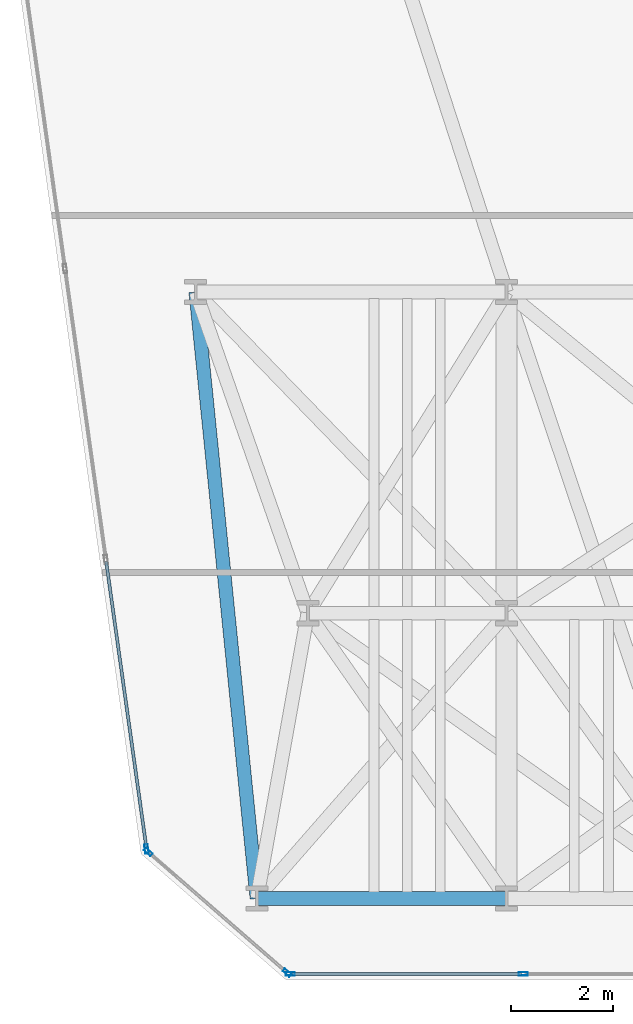
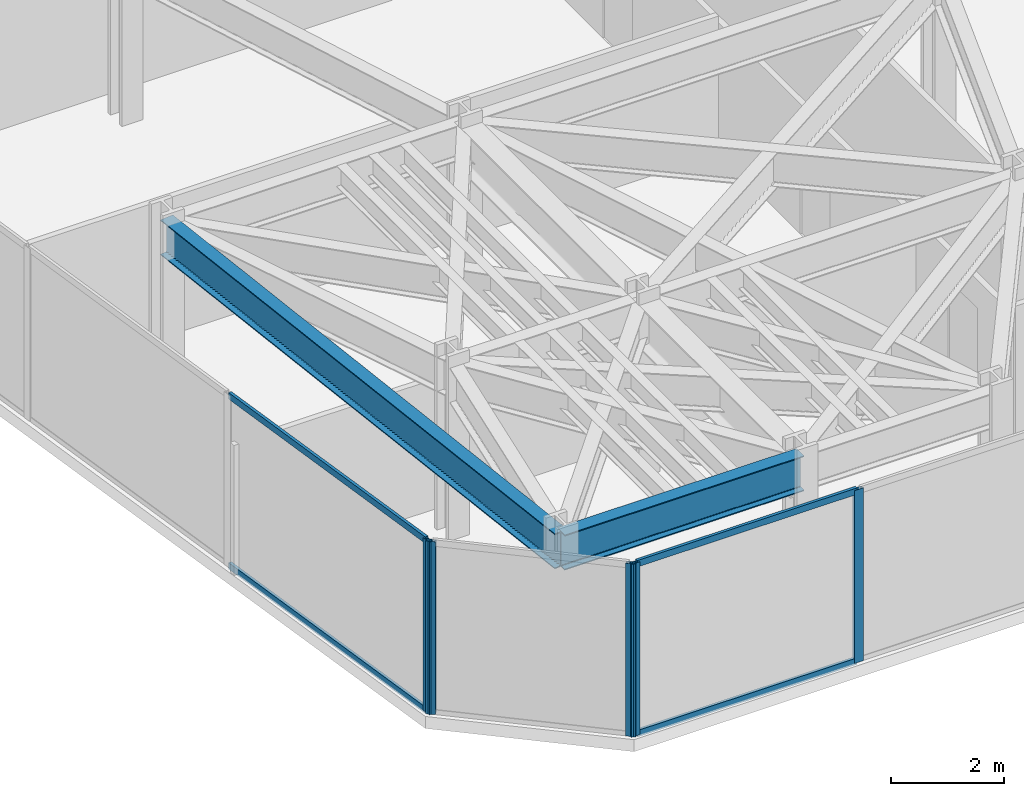
# One storey, part 2 of 24: 9 members, 2 beams, 3 elements without a shape of their own.
"""IFC4 building model written with IfcOpenShell, lengths in metres."""

from ifc_helpers import new_model, si_unit, direction, frame, origin, origin_2d, place, context, subcontext, project, spatial, hollow_rectangle, i_section, extrude, material, layer, layer_set, material_profile, profile_set, type_object, element, aggregate, save


model = new_model("IFC4")

# Units and contexts
model_context = context("Model", 3, precision=1e-05, world=origin(), true_north=direction((0.0, 1.0)))
body_context = subcontext(model_context, "Body", "Model", "MODEL_VIEW")
ifc_project = project(units=[si_unit("LENGTHUNIT", "METRE"), si_unit("AREAUNIT", "SQUARE_METRE"), si_unit("VOLUMEUNIT", "CUBIC_METRE"), si_unit("PLANEANGLEUNIT", "RADIAN"), si_unit("MASSUNIT", "GRAM", prefix="KILO")], contexts=[model_context])

# Site, building, storey
site_placement = place(None, origin())
site = spatial("IfcSite", under=ifc_project, at=site_placement, CompositionType="ELEMENT")
building_placement = place(site_placement, origin())
building = spatial("IfcBuilding", under=site, at=building_placement, Name="Kravanh Interchange Tower", CompositionType="ELEMENT")
storey_placement = place(building_placement, frame((0.0, 0.0, 61.5)))
storey = spatial("IfcBuildingStorey", under=building, at=storey_placement, Name="L14", CompositionType="ELEMENT", Elevation=61.5)

# Curtain wall, member
ifc_material_1 = material(Name="Anodised Bronze Aluminium", Category="aluminium")
ifc_layer = layer(ifc_material_1, 0.179931640625)
ifc_layer_set = layer_set([ifc_layer], Name="Unitised Curtain Wall System CW-Z1 Lower Office")
curtain_wall_type = type_object("IfcCurtainWallType", Name="Unitised Curtain Wall System CW-Z1 Lower Office", PredefinedType="NOTDEFINED", material=ifc_layer_set)
curtain_wall_1_placement = place(storey_placement, origin())
curtain_wall_1 = element("IfcCurtainWall", 1, at=curtain_wall_1_placement, inside=storey, type_object=curtain_wall_type, Name="L14 Unitised Curtain Wall CW-L14-01", PredefinedType="NOTDEFINED")
ifc_material_2 = material(Name="Anodised Bronze Aluminium", Category="aluminium")
ifc_material_profile_1 = material_profile(ifc_material_2, hollow_rectangle(XDim=0.070068359375, YDim=0.179931640625, WallThickness=0.00390625, at=origin_2d()), Name="ALU70X180X4")
ifc_profile_set_1 = profile_set([ifc_material_profile_1], Name="Anodised Bronze Aluminium")
member_type_1 = type_object("IfcMemberType", Name="Curtain Wall Mullion ALU70X180X4 Bronze", PredefinedType="MULLION", material=ifc_profile_set_1)
member_1_placement = place(storey_placement, frame((10.435546875, 3.571533203125, 0.0), z_axis=(0.0, 0.0, 1.0), x_axis=(-0.990267585682, -0.139176538065, 0.0)))
member_1 = element("IfcMember", 2, at=member_1_placement, type_object=member_type_1, Name="CW-Z1 mullion 1", PredefinedType="MULLION", context=body_context, shape_type="SweptSolid", body=[
    extrude(hollow_rectangle(XDim=0.070068359375, YDim=0.179931640625, WallThickness=0.00390625, at=origin_2d()), origin(), (0.0, 0.0, 1.0), 3.739990234375),
])

# Curtain wall, members
curtain_wall_2_placement = place(storey_placement, origin())
curtain_wall_2 = element("IfcCurtainWall", 3, at=curtain_wall_2_placement, inside=storey, type_object=curtain_wall_type, Name="L14 Unitised Curtain Wall CW-L14-06", PredefinedType="NOTDEFINED")
member_2_placement = place(storey_placement, frame((17.8271484375, 1.1201171875, 0.0), z_axis=(0.0, 0.0, 1.0), x_axis=(0.0, -1.0, 0.0)))
member_2 = element("IfcMember", 4, at=member_2_placement, type_object=member_type_1, Name="CW-Z1 mullion 2", PredefinedType="MULLION", context=body_context, shape_type="SweptSolid", body=[
    extrude(hollow_rectangle(XDim=0.070068359375, YDim=0.179931640625, WallThickness=0.00390625, at=origin_2d()), origin(), (0.0, 0.0, 1.0), 3.739990234375),
])
member_3_placement = place(storey_placement, frame((13.255615234375, 1.1201171875, 0.0), z_axis=(0.0, 0.0, 1.0), x_axis=(0.0, -1.0, 0.0)))
member_3 = element("IfcMember", 5, at=member_3_placement, type_object=member_type_1, Name="CW-Z1 mullion 3", PredefinedType="MULLION", context=body_context, shape_type="SweptSolid", body=[
    extrude(hollow_rectangle(XDim=0.070068359375, YDim=0.179931640625, WallThickness=0.00390625, at=origin_2d()), origin(), (0.0, 0.0, 1.0), 3.739990234375),
])

curtain_wall_3_placement = place(storey_placement, origin())
curtain_wall_3 = element("IfcCurtainWall", 6, at=curtain_wall_3_placement, inside=storey, type_object=curtain_wall_type, Name="L14 Unitised Curtain Wall CW-L14-07", PredefinedType="NOTDEFINED")
member_4_placement = place(storey_placement, frame((13.194091796875, 1.14306640625, 0.0), z_axis=(0.0, 0.0, 1.0), x_axis=(-0.656060422341, -0.754708368999, 0.0)))
member_4 = element("IfcMember", 7, at=member_4_placement, type_object=member_type_1, Name="CW-Z1 mullion 1", PredefinedType="MULLION", context=body_context, shape_type="SweptSolid", body=[
    extrude(hollow_rectangle(XDim=0.070068359375, YDim=0.179931640625, WallThickness=0.00390625, at=origin_2d()), origin(), (0.0, 0.0, 1.0), 3.739990234375),
])
member_5_placement = place(storey_placement, frame((10.466796875, 3.513916015625, 0.0), z_axis=(0.0, 0.0, 1.0), x_axis=(-0.656060422341, -0.754708368999, 0.0)))
member_5 = element("IfcMember", 8, at=member_5_placement, type_object=member_type_1, Name="CW-Z1 mullion 2", PredefinedType="MULLION", context=body_context, shape_type="SweptSolid", body=[
    extrude(hollow_rectangle(XDim=0.070068359375, YDim=0.179931640625, WallThickness=0.00390625, at=origin_2d()), origin(), (0.0, 0.0, 1.0), 3.739990234375),
])
aggregate(curtain_wall_3, [member_4, member_5])

# Member
ifc_material_3 = material(Name="Anodised Bronze Aluminium", Category="aluminium")
ifc_material_profile_2 = material_profile(ifc_material_3, hollow_rectangle(XDim=0.06005859375, YDim=0.139892578125, WallThickness=0.00390625, at=origin_2d()), Name="ALU60X140X4")
ifc_profile_set_2 = profile_set([ifc_material_profile_2], Name="Anodised Bronze Aluminium")
member_type_2 = type_object("IfcMemberType", Name="Curtain Wall Transom ALU60X140X4 Bronze", PredefinedType="USERDEFINED", material=ifc_profile_set_2)
member_6_placement = place(storey_placement, frame((10.4306640625, 3.606201171875, 0.030029296875), z_axis=(-0.139199330487, 0.990264382068, 0.0), x_axis=(-0.990264382068, -0.139199330487, 0.0)))
member_6 = element("IfcMember", 9, at=member_6_placement, type_object=member_type_2, Name="CW-Z1 transom 1.1", ObjectType="TRANSOM", PredefinedType="USERDEFINED", context=body_context, shape_type="SweptSolid", body=[
    extrude(hollow_rectangle(XDim=0.06005859375, YDim=0.139892578125, WallThickness=0.00390625, at=origin_2d()), origin(), (0.0, 0.0, 1.0), 5.66162109375),
])

member_7_placement = place(storey_placement, frame((10.4306640625, 3.606201171875, 3.7099609375), z_axis=(-0.139199330487, 0.990264382068, 0.0), x_axis=(-0.990264382068, -0.139199330487, 0.0)))
member_7 = element("IfcMember", 10, at=member_7_placement, type_object=member_type_2, Name="CW-Z1 transom 1.2", ObjectType="TRANSOM", PredefinedType="USERDEFINED", context=body_context, shape_type="SweptSolid", body=[
    extrude(hollow_rectangle(XDim=0.06005859375, YDim=0.139892578125, WallThickness=0.00390625, at=origin_2d()), origin(), (0.0, 0.0, 1.0), 5.66162109375),
])

aggregate(curtain_wall_1, [member_1, member_6, member_7])

member_8_placement = place(storey_placement, frame((17.792236328125, 1.1201171875, 0.030029296875), z_axis=(-1.0, 0.0, 0.0), x_axis=(0.0, -1.0, 0.0)))
member_8 = element("IfcMember", 11, at=member_8_placement, type_object=member_type_2, Name="CW-Z1 transom 2.1", ObjectType="TRANSOM", PredefinedType="USERDEFINED", context=body_context, shape_type="SweptSolid", body=[
    extrude(hollow_rectangle(XDim=0.06005859375, YDim=0.139892578125, WallThickness=0.00390625, at=origin_2d()), origin(), (0.0, 0.0, 1.0), 4.501708984375),
])

member_9_placement = place(storey_placement, frame((17.792236328125, 1.1201171875, 3.7099609375), z_axis=(-1.0, 0.0, 0.0), x_axis=(0.0, -1.0, 0.0)))
member_9 = element("IfcMember", 12, at=member_9_placement, type_object=member_type_2, Name="CW-Z1 transom 2.2", ObjectType="TRANSOM", PredefinedType="USERDEFINED", context=body_context, shape_type="SweptSolid", body=[
    extrude(hollow_rectangle(XDim=0.06005859375, YDim=0.139892578125, WallThickness=0.00390625, at=origin_2d()), origin(), (0.0, 0.0, 1.0), 4.501708984375),
])

aggregate(curtain_wall_2, [member_2, member_3, member_8, member_9])

# Beams
ifc_material_4 = material(Name="Structural Steel S355", Category="steel")
ifc_material_profile_3 = material_profile(ifc_material_4, i_section(OverallWidth=0.26708984375, OverallDepth=0.761962890625, WebThickness=0.014404296875, FlangeThickness=0.021484375, FilletRadius=0.02490234375, at=origin_2d()), Name="W30X116")
ifc_profile_set_3 = profile_set([ifc_material_profile_3], Name="Structural Steel S355")
beam_type = type_object("IfcBeamType", Name="Floor Spandrel W30X116 Structural Steel S355", PredefinedType="SPANDREL", material=ifc_profile_set_3)
beam_1_placement = place(storey_placement, frame((12.60009765625, 2.60009765625, 3.35888671875), z_axis=(1.0, 0.0, 0.0), x_axis=(0.0, 1.0, 0.0)))
element("IfcBeam", 13, at=beam_1_placement, inside=storey, type_object=beam_type, Name="L14 Perimeter Spandrel 38", PredefinedType="SPANDREL", context=body_context, shape_type="SweptSolid", body=[
    extrude(i_section(OverallWidth=0.26708984375, OverallDepth=0.761962890625, WebThickness=0.014404296875, FlangeThickness=0.021484375, FilletRadius=0.02490234375, at=origin_2d()), origin(), (0.0, 0.0, 1.0), 4.89990234375),
])
beam_2_placement = place(storey_placement, frame((12.60009765625, 2.60009765625, 3.35888671875), z_axis=(-0.100348483042, 0.994952351598, 0.0), x_axis=(-0.994952351598, -0.100348483042, 0.0)))
element("IfcBeam", 14, at=beam_2_placement, inside=storey, type_object=beam_type, Name="L14 Perimeter Spandrel 41", PredefinedType="SPANDREL", context=body_context, shape_type="SweptSolid", body=[
    extrude(i_section(OverallWidth=0.26708984375, OverallDepth=0.761962890625, WebThickness=0.014404296875, FlangeThickness=0.021484375, FilletRadius=0.02490234375, at=origin_2d()), origin(), (0.0, 0.0, 1.0), 11.960205078125),
])

save(model, "model.ifc")
